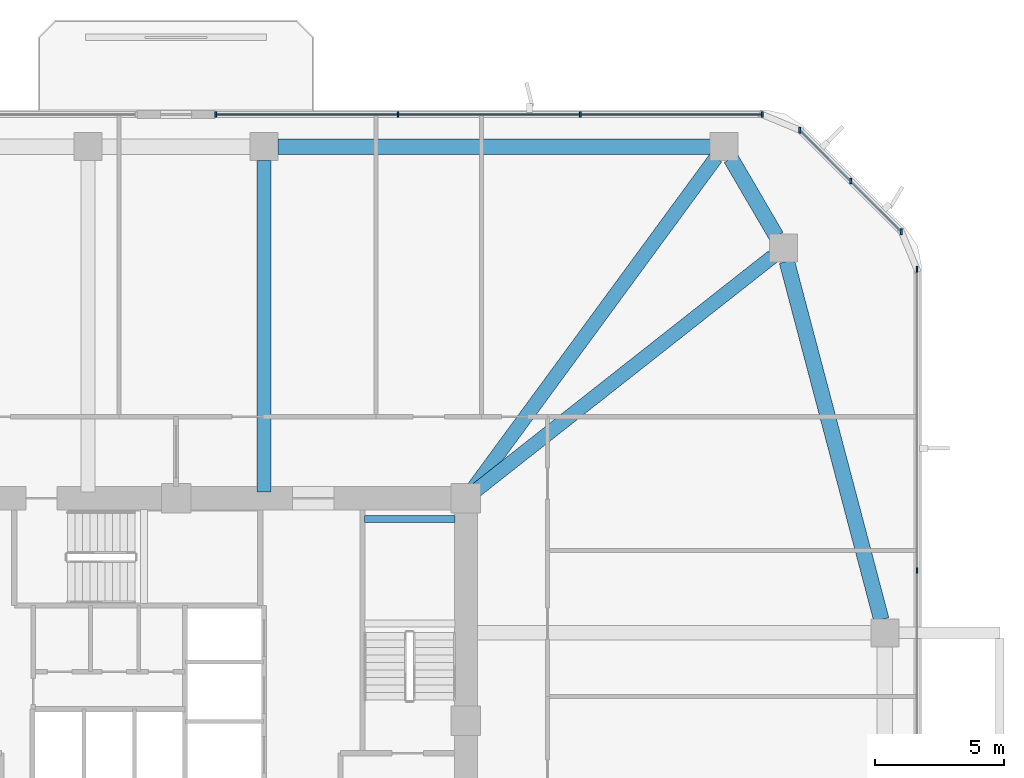
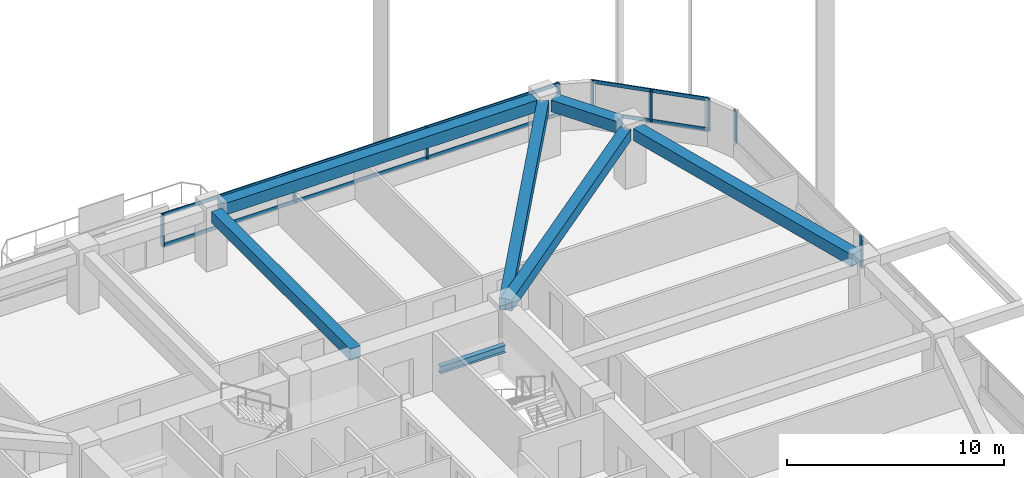
# One storey, part 7 of 17: 13 members, 7 beams, 3 elements without a shape of their own.
"""IFC4 building model written with IfcOpenShell, lengths in metres."""

from ifc_helpers import new_model, si_unit, derived_unit, direction, frame, origin, origin_2d, place, context, subcontext, project, spatial, rectangle, i_section, extrude, material, material_profile, profile_set, type_object, element, aggregate, save


model = new_model("IFC4")

# Units and contexts
model_context = context("Model", 3, precision=1e-05, world=origin(), true_north=direction((0.0, 1.0)))
body_context = subcontext(model_context, "Body", "Model", "MODEL_VIEW")
ifc_project = project(units=[si_unit("LENGTHUNIT", "METRE"), si_unit("AREAUNIT", "SQUARE_METRE"), si_unit("VOLUMEUNIT", "CUBIC_METRE"), si_unit("PLANEANGLEUNIT", "RADIAN"), si_unit("MASSUNIT", "GRAM", prefix="KILO"), derived_unit("THERMALTRANSMITTANCEUNIT", [(si_unit("POWERUNIT", "WATT"), 1), (si_unit("LENGTHUNIT", "METRE"), -2), (si_unit("THERMODYNAMICTEMPERATUREUNIT", "KELVIN"), -1)])], contexts=[model_context])

# Site, building, storey
site_placement = place(None, origin())
site = spatial("IfcSite", under=ifc_project, at=site_placement, CompositionType="ELEMENT")
building_placement = place(site_placement, origin())
building = spatial("IfcBuilding", under=site, at=building_placement, Name="Koralith Skygarden Medical Center", CompositionType="ELEMENT")
storey_placement = place(building_placement, frame((0.0, 0.0, 23.93994140625)))
storey = spatial("IfcBuildingStorey", under=building, at=storey_placement, Name="L05", CompositionType="ELEMENT", Elevation=23.93994140625)

# Curtain wall, members
ifc_material_1 = material(Name="Clear Laminated Glass", Category="glass")
curtain_wall_type = type_object("IfcCurtainWallType", Name="CW-2 Zone 1 Hurricane Unitised Curtain Wall", PredefinedType="NOTDEFINED", material=ifc_material_1)
curtain_wall_1_placement = place(storey_placement, origin())
curtain_wall_1 = element("IfcCurtainWall", 1, at=curtain_wall_1_placement, inside=storey, type_object=curtain_wall_type, Name="Curtain Wall CW-L05-E", PredefinedType="NOTDEFINED")
ifc_material_2 = material(Name="Aluminium 6063-T6", Category="aluminium")
ifc_material_profile_1 = material_profile(ifc_material_2, rectangle(XDim=0.071044921875, YDim=0.219970703125, at=origin_2d()), Name="MUL71X220")
ifc_profile_set_1 = profile_set([ifc_material_profile_1], Name="Aluminium 6063-T6")
member_type_1 = type_object("IfcMemberType", Name="CW-2 Extruded Mullion 71x220", PredefinedType="MULLION", material=ifc_profile_set_1)
member_1_placement = place(storey_placement, frame((65.6201171875, 31.715087890625, 0.85009765625), z_axis=(0.0, 0.0, 1.0), x_axis=(1.0, 0.0, 0.0)))
member_1 = element("IfcMember", 2, at=member_1_placement, type_object=member_type_1, Name="CW-L05-E Mullion 3", PredefinedType="MULLION", context=body_context, shape_type="SweptSolid", body=[
    extrude(rectangle(XDim=0.071044921875, YDim=0.219970703125, at=origin_2d()), origin(), (0.0, 0.0, 1.0), 1.800048828125),
])
member_2_placement = place(storey_placement, frame((65.6201171875, 43.344970703125, 0.85009765625), z_axis=(0.0, 0.0, 1.0), x_axis=(1.0, 0.0, 0.0)))
member_2 = element("IfcMember", 3, at=member_2_placement, type_object=member_type_1, Name="CW-L05-E Mullion 4", PredefinedType="MULLION", context=body_context, shape_type="SweptSolid", body=[
    extrude(rectangle(XDim=0.071044921875, YDim=0.219970703125, at=origin_2d()), origin(), (0.0, 0.0, 1.0), 1.800048828125),
])
aggregate(curtain_wall_1, [member_1, member_2])

curtain_wall_2_placement = place(storey_placement, origin())
curtain_wall_2 = element("IfcCurtainWall", 4, at=curtain_wall_2_placement, inside=storey, type_object=curtain_wall_type, Name="Curtain Wall CW-L05-NE", PredefinedType="NOTDEFINED")
member_3_placement = place(storey_placement, frame((65.01904296875, 44.7958984375, 0.85009765625), z_axis=(0.0, 0.0, 1.0), x_axis=(1.0, 0.0, 0.0)))
member_3 = element("IfcMember", 5, at=member_3_placement, type_object=member_type_1, Name="CW-L05-NE Mullion 1", PredefinedType="MULLION", context=body_context, shape_type="SweptSolid", body=[
    extrude(rectangle(XDim=0.071044921875, YDim=0.219970703125, at=origin_2d()), origin(), (0.0, 0.0, 1.0), 1.800048828125),
])
member_4_placement = place(storey_placement, frame((63.05810546875, 46.758056640625, 0.85009765625), z_axis=(0.0, 0.0, 1.0), x_axis=(1.0, 0.0, 0.0)))
member_4 = element("IfcMember", 6, at=member_4_placement, type_object=member_type_1, Name="CW-L05-NE Mullion 2", PredefinedType="MULLION", context=body_context, shape_type="SweptSolid", body=[
    extrude(rectangle(XDim=0.071044921875, YDim=0.219970703125, at=origin_2d()), origin(), (0.0, 0.0, 1.0), 1.800048828125),
])
member_5_placement = place(storey_placement, frame((61.095947265625, 48.718994140625, 0.85009765625), z_axis=(0.0, 0.0, 1.0), x_axis=(1.0, 0.0, 0.0)))
member_5 = element("IfcMember", 7, at=member_5_placement, type_object=member_type_1, Name="CW-L05-NE Mullion 3", PredefinedType="MULLION", context=body_context, shape_type="SweptSolid", body=[
    extrude(rectangle(XDim=0.071044921875, YDim=0.219970703125, at=origin_2d()), origin(), (0.0, 0.0, 1.0), 1.800048828125),
])

curtain_wall_3_placement = place(storey_placement, origin())
curtain_wall_3 = element("IfcCurtainWall", 8, at=curtain_wall_3_placement, inside=storey, type_object=curtain_wall_type, Name="Curtain Wall CW-L05-N-L", PredefinedType="NOTDEFINED")
member_6_placement = place(storey_placement, frame((59.64501953125, 49.320068359375, 0.85009765625), z_axis=(0.0, 0.0, 1.0), x_axis=(1.0, 0.0, 0.0)))
member_6 = element("IfcMember", 9, at=member_6_placement, type_object=member_type_1, Name="CW-L05-N-L Mullion 1", PredefinedType="MULLION", context=body_context, shape_type="SweptSolid", body=[
    extrude(rectangle(XDim=0.071044921875, YDim=0.219970703125, at=origin_2d()), origin(), (0.0, 0.0, 1.0), 1.800048828125),
])
member_7_placement = place(storey_placement, frame((52.610107421875, 49.320068359375, 0.85009765625), z_axis=(0.0, 0.0, 1.0), x_axis=(1.0, 0.0, 0.0)))
member_7 = element("IfcMember", 10, at=member_7_placement, type_object=member_type_1, Name="CW-L05-N-L Mullion 2", PredefinedType="MULLION", context=body_context, shape_type="SweptSolid", body=[
    extrude(rectangle(XDim=0.071044921875, YDim=0.219970703125, at=origin_2d()), origin(), (0.0, 0.0, 1.0), 1.800048828125),
])
member_8_placement = place(storey_placement, frame((45.574951171875, 49.320068359375, 0.85009765625), z_axis=(0.0, 0.0, 1.0), x_axis=(1.0, 0.0, 0.0)))
member_8 = element("IfcMember", 11, at=member_8_placement, type_object=member_type_1, Name="CW-L05-N-L Mullion 3", PredefinedType="MULLION", context=body_context, shape_type="SweptSolid", body=[
    extrude(rectangle(XDim=0.071044921875, YDim=0.219970703125, at=origin_2d()), origin(), (0.0, 0.0, 1.0), 1.800048828125),
])
member_9_placement = place(storey_placement, frame((38.5400390625, 49.320068359375, 0.85009765625), z_axis=(0.0, 0.0, 1.0), x_axis=(1.0, 0.0, 0.0)))
member_9 = element("IfcMember", 12, at=member_9_placement, type_object=member_type_1, Name="CW-L05-N-L Mullion 4", PredefinedType="MULLION", context=body_context, shape_type="SweptSolid", body=[
    extrude(rectangle(XDim=0.071044921875, YDim=0.219970703125, at=origin_2d()), origin(), (0.0, 0.0, 1.0), 1.800048828125),
])

# Member
ifc_material_profile_2 = material_profile(ifc_material_2, rectangle(XDim=0.06591796875, YDim=0.197998046875, at=origin_2d()), Name="TRN66X198")
ifc_profile_set_2 = profile_set([ifc_material_profile_2], Name="Aluminium 6063-T6")
member_type_2 = type_object("IfcMemberType", Name="CW-2 Thermal Transom 66x198", PredefinedType="USERDEFINED", material=ifc_profile_set_2)
member_10_placement = place(storey_placement, frame((65.01904296875, 44.7958984375, 0.900146484375), z_axis=(-0.707106781187, 0.707106781187, 0.0), x_axis=(-0.707106781187, -0.707106781187, 0.0)))
member_10 = element("IfcMember", 13, at=member_10_placement, type_object=member_type_2, Name="CW-L05-NE Transom 1", ObjectType="TRANSOM", PredefinedType="USERDEFINED", context=body_context, shape_type="SweptSolid", body=[
    extrude(rectangle(XDim=0.06591796875, YDim=0.197998046875, at=origin_2d()), origin(), (0.0, 0.0, 1.0), 5.548095703125),
])

member_11_placement = place(storey_placement, frame((65.01904296875, 44.7958984375, 2.60009765625), z_axis=(-0.707106781187, 0.707106781187, 0.0), x_axis=(-0.707106781187, -0.707106781187, 0.0)))
member_11 = element("IfcMember", 14, at=member_11_placement, type_object=member_type_2, Name="CW-L05-NE Transom 2", ObjectType="TRANSOM", PredefinedType="USERDEFINED", context=body_context, shape_type="SweptSolid", body=[
    extrude(rectangle(XDim=0.06591796875, YDim=0.197998046875, at=origin_2d()), origin(), (0.0, 0.0, 1.0), 5.548095703125),
])

aggregate(curtain_wall_2, [member_3, member_4, member_5, member_10, member_11])

member_12_placement = place(storey_placement, frame((59.64501953125, 49.320068359375, 0.900146484375), z_axis=(-1.0, 0.0, 0.0), x_axis=(0.0, -1.0, 0.0)))
member_12 = element("IfcMember", 15, at=member_12_placement, type_object=member_type_2, Name="CW-L05-N-L Transom 1", ObjectType="TRANSOM", PredefinedType="USERDEFINED", context=body_context, shape_type="SweptSolid", body=[
    extrude(rectangle(XDim=0.06591796875, YDim=0.197998046875, at=origin_2d()), origin(), (0.0, 0.0, 1.0), 21.10498046875),
])

member_13_placement = place(storey_placement, frame((59.64501953125, 49.320068359375, 2.60009765625), z_axis=(-1.0, 0.0, 0.0), x_axis=(0.0, -1.0, 0.0)))
member_13 = element("IfcMember", 16, at=member_13_placement, type_object=member_type_2, Name="CW-L05-N-L Transom 2", ObjectType="TRANSOM", PredefinedType="USERDEFINED", context=body_context, shape_type="SweptSolid", body=[
    extrude(rectangle(XDim=0.06591796875, YDim=0.197998046875, at=origin_2d()), origin(), (0.0, 0.0, 1.0), 21.10498046875),
])

aggregate(curtain_wall_3, [member_6, member_7, member_8, member_9, member_12, member_13])

# Beams
ifc_material_3 = material(Name="Steel ASTM A992 Grade 50", Category="steel")
ifc_material_profile_3 = material_profile(ifc_material_3, i_section(OverallWidth=0.260009765625, OverallDepth=0.4150390625, WebThickness=0.010009765625, FlangeThickness=0.016845703125, at=origin_2d()), Name="W16X67")
ifc_profile_set_3 = profile_set([ifc_material_profile_3], Name="Steel ASTM A992 Grade 50")
beam_type_1 = type_object("IfcBeamType", Name="Clinical Floor Joist W16X67", PredefinedType="JOIST", material=ifc_profile_set_3)
beam_1_placement = place(storey_placement, frame((44.280029296875, 33.699951171875, 1.39208984375), z_axis=(1.0, 0.0, 0.0), x_axis=(0.0, 1.0, 0.0)))
element("IfcBeam", 17, at=beam_1_placement, inside=storey, type_object=beam_type_1, Name="L05 Stair ST2 Half-Landing Support Beam 1B", PredefinedType="JOIST", context=body_context, shape_type="SweptSolid", body=[
    extrude(i_section(OverallWidth=0.260009765625, OverallDepth=0.4150390625, WebThickness=0.010009765625, FlangeThickness=0.016845703125, at=origin_2d()), origin(), (0.0, 0.0, 1.0), 3.489990234375),
])
ifc_material_4 = material(Name="Concrete C45/55", Category="concrete")
ifc_material_profile_4 = material_profile(ifc_material_4, rectangle(XDim=0.550048828125, YDim=0.639892578125, at=origin_2d()), Name="RCB550X640")
ifc_profile_set_4 = profile_set([ifc_material_profile_4], Name="Concrete C45/55")
beam_type_2 = type_object("IfcBeamType", Name="Radial Collector Beam RCB550X640", PredefinedType="BEAM", material=ifc_profile_set_4)
beam_2_placement = place(storey_placement, frame((48.39599609375, 34.655029296875, 3.0), z_axis=(0.785497250365, 0.618865146594, 0.0), x_axis=(-0.618865146594, 0.785497250365, 0.0)))
element("IfcBeam", 18, at=beam_2_placement, inside=storey, type_object=beam_type_2, Name="L05 Radial Collector Beam RB-10", PredefinedType="BEAM", context=body_context, shape_type="SweptSolid", body=[
    extrude(rectangle(XDim=0.550048828125, YDim=0.639892578125, at=origin_2d()), origin(), (0.0, 0.0, 1.0), 14.828857421875),
])
beam_3_placement = place(storey_placement, frame((48.347900390625, 34.701904296875, 3.0), z_axis=(0.591710803277, 0.806150311843, 0.0), x_axis=(-0.806150311843, 0.591710803277, 0.0)))
element("IfcBeam", 19, at=beam_3_placement, inside=storey, type_object=beam_type_2, Name="L05 Radial Collector Beam RB-11", PredefinedType="BEAM", context=body_context, shape_type="SweptSolid", body=[
    extrude(rectangle(XDim=0.550048828125, YDim=0.639892578125, at=origin_2d()), origin(), (0.0, 0.0, 1.0), 16.0654296875),
])
beam_4_placement = place(storey_placement, frame((40.39990234375, 34.75, 3.0), z_axis=(0.0, 1.0, 0.0), x_axis=(-1.0, 0.0, 0.0)))
element("IfcBeam", 20, at=beam_4_placement, inside=storey, type_object=beam_type_2, Name="L05 Radial Collector Beam RB-12", PredefinedType="BEAM", context=body_context, shape_type="SweptSolid", body=[
    extrude(rectangle(XDim=0.550048828125, YDim=0.639892578125, at=origin_2d()), origin(), (0.0, 0.0, 1.0), 12.800048828125),
])
ifc_material_profile_5 = material_profile(ifc_material_4, rectangle(XDim=0.60009765625, YDim=0.659912109375, at=origin_2d()), Name="RCB600X660")
ifc_profile_set_5 = profile_set([ifc_material_profile_5], Name="Concrete C45/55")
beam_type_3 = type_object("IfcBeamType", Name="Zone 1 Spandrel Beam RCB600X660", PredefinedType="SPANDREL", material=ifc_profile_set_5)
beam_5_placement = place(storey_placement, frame((64.2451171875, 29.81201171875, 2.989990234375), z_axis=(-0.255088684842, 0.966917660851, 0.0), x_axis=(-0.966917660851, -0.255088684842, 0.0)))
element("IfcBeam", 21, at=beam_5_placement, inside=storey, type_object=beam_type_3, Name="L05 Perimeter Spandrel Beam SP-09", PredefinedType="SPANDREL", context=body_context, shape_type="SweptSolid", body=[
    extrude(rectangle(XDim=0.60009765625, YDim=0.659912109375, at=origin_2d()), origin(), (0.0, 0.0, 1.0), 14.309326171875),
])
beam_6_placement = place(storey_placement, frame((60.19189453125, 44.617919921875, 2.989990234375), z_axis=(-0.504608092658, 0.863348523381, 0.0), x_axis=(-0.863348523381, -0.504608092658, 0.0)))
element("IfcBeam", 22, at=beam_6_placement, inside=storey, type_object=beam_type_3, Name="L05 Perimeter Spandrel Beam SP-10", PredefinedType="SPANDREL", context=body_context, shape_type="SweptSolid", body=[
    extrude(rectangle(XDim=0.60009765625, YDim=0.659912109375, at=origin_2d()), origin(), (0.0, 0.0, 1.0), 3.479736328125),
])
beam_7_placement = place(storey_placement, frame((57.637939453125, 48.080078125, 2.989990234375), z_axis=(-1.0, 0.0, 0.0), x_axis=(0.0, -1.0, 0.0)))
element("IfcBeam", 23, at=beam_7_placement, inside=storey, type_object=beam_type_3, Name="L05 Perimeter Spandrel Beam SP-11", PredefinedType="SPANDREL", context=body_context, shape_type="SweptSolid", body=[
    extrude(rectangle(XDim=0.60009765625, YDim=0.659912109375, at=origin_2d()), origin(), (0.0, 0.0, 1.0), 16.7080078125),
])

save(model, "model.ifc")
